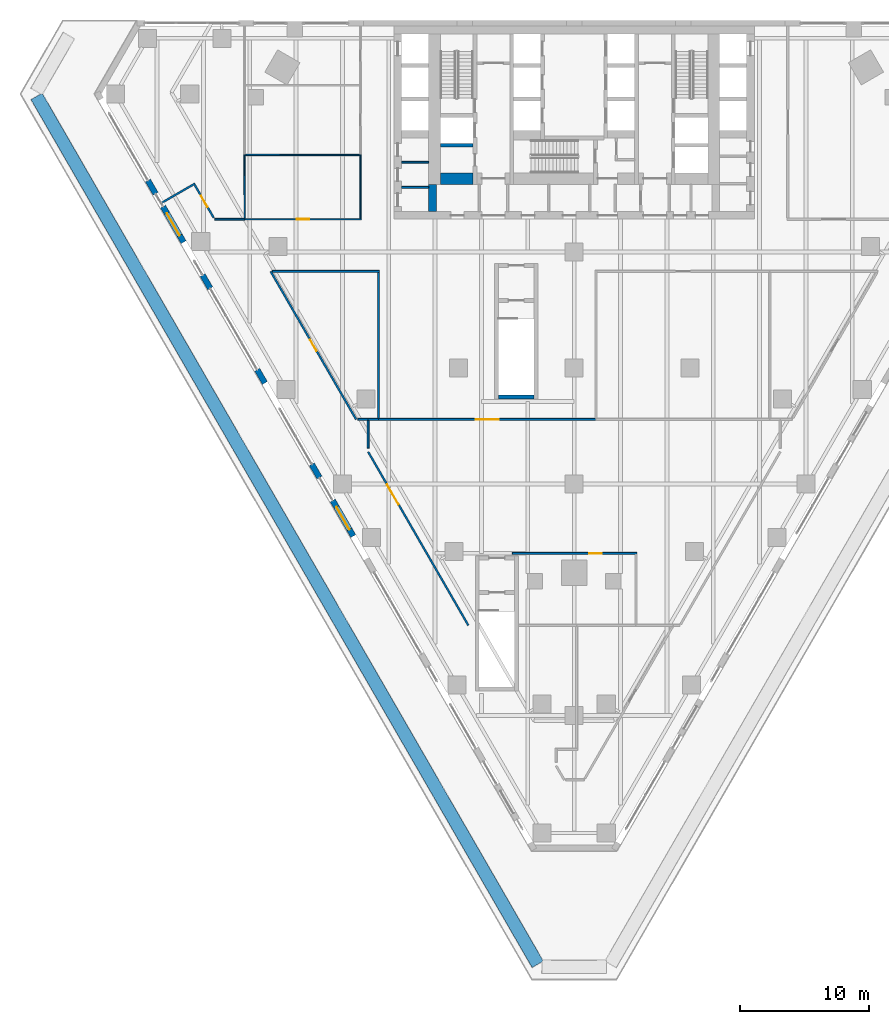
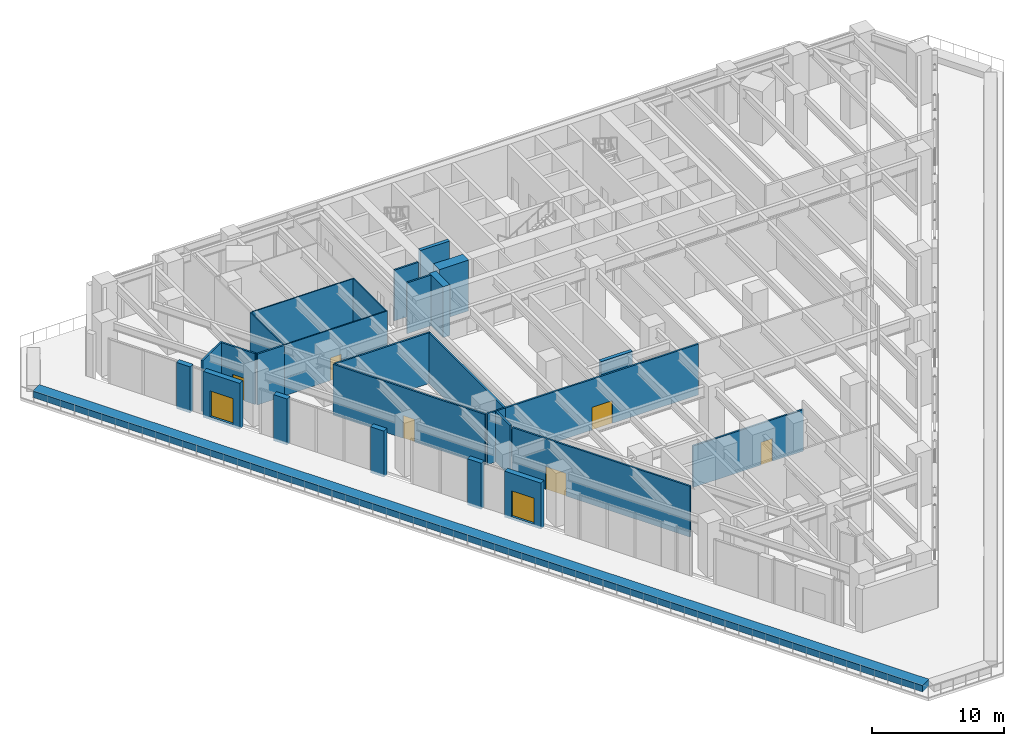
# One storey, part 22 of 31: 29 walls, 8 doors, 8 openings.
"""IFC4 building model written with IfcOpenShell, lengths in metres."""

from ifc_helpers import new_model, si_unit, direction, frame, frame_2d, origin, place, context, subcontext, project, spatial, rectangle, extrude, material, layer, layer_set, type_object, element, fill, save


model = new_model("IFC4")

# Units and contexts
model_context = context("Model", 3, precision=1e-05, world=origin(), true_north=direction((0.0, 1.0)))
body_context = subcontext(model_context, "Body", "Model", "MODEL_VIEW")
ifc_project = project(units=[si_unit("LENGTHUNIT", "METRE"), si_unit("AREAUNIT", "SQUARE_METRE"), si_unit("VOLUMEUNIT", "CUBIC_METRE"), si_unit("PLANEANGLEUNIT", "RADIAN"), si_unit("MASSUNIT", "GRAM", prefix="KILO")], contexts=[model_context])

# Site, building, storey
site_placement = place(None, origin())
site = spatial("IfcSite", under=ifc_project, at=site_placement, CompositionType="ELEMENT")
building_placement = place(site_placement, origin())
building = spatial("IfcBuilding", under=site, at=building_placement, Name="Aloe Facet Convention Tower", CompositionType="ELEMENT")
storey_placement = place(building_placement, frame((0.0, 0.0, 25.0)))
storey = spatial("IfcBuildingStorey", under=building, at=storey_placement, Name="L04", CompositionType="ELEMENT", Elevation=25.0)

# Walls
ifc_material_1 = material(Name="Concrete blockwork partition", Category="masonry")
ifc_layer_1 = layer(ifc_material_1, 0.14990234375)
ifc_layer_set_1 = layer_set([ifc_layer_1], Name="CR-W-PART150")
wall_type_1 = type_object("IfcWallType", Name="CR-W-PART150", PredefinedType="PARTITIONING", material=ifc_layer_set_1)
for number, where, z_axis, x_axis, name in (
    (1, (66.60009765625, 123.97509765625, 0.0), (0.0, 0.0, 1.0), (1.0, 0.0, 0.0), "Core partition L04-007"),
    (2, (66.60009765625, 122.02490234375, 0.0), (0.0, 0.0, 1.0), (1.0, 0.0, 0.0), "Core partition L04-008"),
):
    element("IfcWall", number, at=place(storey_placement, frame(where, z_axis=z_axis, x_axis=x_axis)), inside=storey, type_object=wall_type_1, Name=name, PredefinedType="PARTITIONING", context=body_context, shape_type="SweptSolid", body=[
        extrude(rectangle(XDim=2.099853515625, YDim=0.14990234375, at=frame_2d((1.0498046875, 0.0))), origin(), (0.0, 0.0, 1.0), 4.699951171875),
    ])
ifc_material_2 = material(Name="Concrete C50/60", Category="concrete")
ifc_layer_2 = layer(ifc_material_2, 0.300048828125)
ifc_layer_set_2 = layer_set([ifc_layer_2], Name="CR-W-RC300-C5060")
wall_type_2 = type_object("IfcWallType", Name="CR-W-RC300-C5060", PredefinedType="SOLIDWALL", material=ifc_layer_set_2)
wall_1_placement = place(storey_placement, frame((74.125, 105.75, 0.0), z_axis=(0.0, 0.0, 1.0), x_axis=(1.0, 0.0, 0.0)))
element("IfcWall", 3, at=wall_1_placement, inside=storey, type_object=wall_type_2, Name="Exit stair wall L04-08", PredefinedType="SOLIDWALL", context=body_context, shape_type="SweptSolid", body=[
    extrude(rectangle(XDim=2.75, YDim=0.300048828125, at=frame_2d((1.375, 0.0))), origin(), (0.0, 0.0, 1.0), 4.699951171875),
])
ifc_material_3 = material(Name="Concrete C80/95", Category="concrete")
ifc_layer_3 = layer(ifc_material_3, 0.300048828125)
ifc_layer_set_3 = layer_set([ifc_layer_3], Name="CR-W-RC300-C8095")
wall_type_3 = type_object("IfcWallType", Name="CR-W-RC300-C8095", PredefinedType="SOLIDWALL", material=ifc_layer_set_3)
wall_2_placement = place(storey_placement, frame((69.60009765625, 125.300048828125, 0.0), z_axis=(0.0, 0.0, 1.0), x_axis=(1.0, 0.0, 0.0)))
element("IfcWall", 4, at=wall_2_placement, inside=storey, type_object=wall_type_3, Name="Core wall L04-012", PredefinedType="SOLIDWALL", context=body_context, shape_type="SweptSolid", body=[
    extrude(rectangle(XDim=2.5498046875, YDim=0.300048828125, at=frame_2d((1.27490234375, 0.0))), origin(), (0.0, 0.0, 1.0), 4.699951171875),
])
ifc_material_4 = material(Name="Concrete C80/95", Category="concrete")
ifc_layer_4 = layer(ifc_material_4, 0.60009765625)
ifc_layer_set_4 = layer_set([ifc_layer_4], Name="CR-W-RC600-C8095")
wall_type_4 = type_object("IfcWallType", Name="CR-W-RC600-C8095", PredefinedType="SOLIDWALL", material=ifc_layer_set_4)
wall_3_placement = place(storey_placement, frame((69.0, 122.25, 0.0), z_axis=(0.0, 0.0, 1.0), x_axis=(0.0, -1.0, 0.0)))
element("IfcWall", 5, at=wall_3_placement, inside=storey, type_object=wall_type_4, Name="Core wall L04-010", PredefinedType="SOLIDWALL", context=body_context, shape_type="SweptSolid", body=[
    extrude(rectangle(XDim=2.10009765625, YDim=0.60009765625, at=frame_2d((1.050048828125, 0.0))), origin(), (0.0, 0.0, 1.0), 4.699951171875),
])
ifc_material_5 = material(Name="Concrete C80/95", Category="concrete")
ifc_layer_5 = layer(ifc_material_5, 0.89990234375)
ifc_layer_set_5 = layer_set([ifc_layer_5], Name="CR-W-RC900-C8095")
wall_type_5 = type_object("IfcWallType", Name="CR-W-RC900-C8095", PredefinedType="SOLIDWALL", material=ifc_layer_set_5)
wall_4_placement = place(storey_placement, frame((69.60009765625, 122.699951171875, 0.0), z_axis=(0.0, 0.0, 1.0), x_axis=(1.0, 0.0, 0.0)))
element("IfcWall", 6, at=wall_4_placement, inside=storey, type_object=wall_type_5, Name="Core wall L04-013", PredefinedType="SOLIDWALL", context=body_context, shape_type="SweptSolid", body=[
    extrude(rectangle(XDim=2.5498046875, YDim=0.89990234375, at=frame_2d((1.27490234375, 0.0))), origin(), (0.0, 0.0, 1.0), 4.699951171875),
])
ifc_material_6 = material(Name="Precast concrete C40/50", Category="concrete")
ifc_layer_6 = layer(ifc_material_6, 1.0)
ifc_layer_set_6 = layer_set([ifc_layer_6], Name="EV-PLANTER-BED")
wall_type_6 = type_object("IfcWallType", Name="EV-PLANTER-BED", PredefinedType="STANDARD", material=ifc_layer_set_6)
wall_5_placement = place(storey_placement, frame((77.166015625, 61.67919921875, 0.0), z_axis=(0.0, 0.0, 1.0), x_axis=(-0.500000102728, 0.866025344474, 0.0)))
element("IfcWall", 7, at=wall_5_placement, inside=storey, type_object=wall_type_6, Name="PLANTER PT-L04-1-4", PredefinedType="STANDARD", context=body_context, shape_type="SweptSolid", body=[
    extrude(rectangle(XDim=77.8408203125, YDim=1.0, at=frame_2d((38.92041015625, 0.0))), origin(), (0.0, 0.0, 1.0), 0.60009765625),
])
ifc_material_7 = material(Name="Precast concrete C40/50", Category="concrete")
ifc_layer_7 = layer(ifc_material_7, 0.449951171875)
ifc_layer_set_7 = layer_set([ifc_layer_7], Name="EV-WALL-STONE")
wall_type_7 = type_object("IfcWallType", Name="EV-WALL-STONE", PredefinedType="SOLIDWALL", material=ifc_layer_set_7)
wall_6_placement = place(storey_placement, frame((46.89111328125, 122.566650390625, -0.25), z_axis=(0.0, 0.0, 1.0), x_axis=(0.500033551112, -0.866006032174, 0.0)))
element("IfcWall", 8, at=wall_6_placement, inside=storey, type_object=wall_type_7, Name="PW-L04-W03", PredefinedType="SOLIDWALL", context=body_context, shape_type="SweptSolid", body=[
    extrude(rectangle(XDim=1.2001953125, YDim=0.449951171875, at=frame_2d((0.60009765625, 0.0))), origin(), (0.0, 0.0, 1.0), 4.262451171875),
])

# Wall, opening, door
wall_7_placement = place(storey_placement, frame((48.06298828125, 120.537109375, -0.25), z_axis=(0.0, 0.0, 1.0), x_axis=(0.499971222258, -0.866042017984, 0.0)))
wall_7 = element("IfcWall", 9, at=wall_7_placement, inside=storey, type_object=wall_type_7, Name="PW-L04-W04", PredefinedType="SOLIDWALL", context=body_context, shape_type="SweptSolid", body=[
    extrude(rectangle(XDim=3.199951171875, YDim=0.449951171875, at=frame_2d((1.60009765625, 0.0))), origin(), (0.0, 0.0, 1.0), 4.262451171875),
])
opening_1_placement = place(wall_7_placement, frame((0.60009765625, 0.0, 0.25)))
opening_1 = element("IfcOpeningElement", 10, at=opening_1_placement, cuts=wall_7, Name="Opening D-L04-W04", PredefinedType="OPENING", context=body_context, shape_type="SweptSolid", body=[
    extrude(rectangle(XDim=2.0, YDim=2.39990234375, at=frame_2d((1.0, 1.199951171875))), frame((0.0, 0.23486328125, 0.0), z_axis=(0.0, -1.0, 0.0), x_axis=(1.0, 0.0, 0.0)), (0.0, 0.0, 1.0), 0.469970703125),
])
ifc_material_8 = material(Name="Aluminium frame, clear double glazing", Category="aluminium")
door_type_1 = type_object("IfcDoorType", Name="EV-DOOR-HALL", OperationType="DOUBLE_DOOR_SINGLE_SWING", PredefinedType="DOOR", material=ifc_material_8)
door_1_placement = place(opening_1_placement, origin())
door_1 = element("IfcDoor", 11, at=door_1_placement, inside=storey, type_object=door_type_1, Name="D-L04-W04", OperationType="DOUBLE_DOOR_SINGLE_SWING", OverallHeight=2.39990234375, OverallWidth=2.0, PredefinedType="DOOR", context=body_context, shape_type="SweptSolid", body=[
    extrude(rectangle(XDim=2.0, YDim=2.39990234375, at=frame_2d((1.0, 1.199951171875))), frame((0.0, 0.02490234375, 0.0), z_axis=(0.0, -1.0, 0.0), x_axis=(1.0, 0.0, 0.0)), (0.0, 0.0, 1.0), 0.050048828125),
])
fill(opening_1, door_1)

# Walls
wall_8_placement = place(storey_placement, frame((51.134521484375, 115.216796875, -0.25), z_axis=(0.0, 0.0, 1.0), x_axis=(0.50012165622, -0.865955154139, 0.0)))
element("IfcWall", 12, at=wall_8_placement, inside=storey, type_object=wall_type_7, Name="PW-L04-W05", PredefinedType="SOLIDWALL", context=body_context, shape_type="SweptSolid", body=[
    extrude(rectangle(XDim=1.199951171875, YDim=0.449951171875, at=frame_2d((0.60009765625, 0.0))), origin(), (0.0, 0.0, 1.0), 4.262451171875),
])
for number, where, z_axis, x_axis, name in (
    (13, (55.3779296875, 107.8671875, -0.25), (0.0, 0.0, 1.0), (0.500033551112, -0.866006032174, 0.0), "PW-L04-W07"),
    (14, (59.621337890625, 100.517333984375, -0.25), (0.0, 0.0, 1.0), (0.500033551112, -0.866006032174, 0.0), "PW-L04-W09"),
):
    element("IfcWall", number, at=place(storey_placement, frame(where, z_axis=z_axis, x_axis=x_axis)), inside=storey, type_object=wall_type_7, Name=name, PredefinedType="SOLIDWALL", context=body_context, shape_type="SweptSolid", body=[
        extrude(rectangle(XDim=1.2001953125, YDim=0.449951171875, at=frame_2d((0.60009765625, 0.0))), origin(), (0.0, 0.0, 1.0), 4.262451171875),
    ])

# Wall, opening, door
wall_9_placement = place(storey_placement, frame((61.242919921875, 97.70849609375, -0.25), z_axis=(0.0, 0.0, 1.0), x_axis=(0.500028443584, -0.866008981251, 0.0)))
wall_9 = element("IfcWall", 15, at=wall_9_placement, inside=storey, type_object=wall_type_7, Name="PW-L04-W10", PredefinedType="SOLIDWALL", context=body_context, shape_type="SweptSolid", body=[
    extrude(rectangle(XDim=3.199951171875, YDim=0.449951171875, at=frame_2d((1.60009765625, 0.0))), origin(), (0.0, 0.0, 1.0), 4.262451171875),
])
opening_2_placement = place(wall_9_placement, frame((0.60009765625, 0.0, 0.25)))
opening_2 = element("IfcOpeningElement", 16, at=opening_2_placement, cuts=wall_9, Name="Opening D-L04-W10", PredefinedType="OPENING", context=body_context, shape_type="SweptSolid", body=[
    extrude(rectangle(XDim=2.0, YDim=2.39990234375, at=frame_2d((1.0, 1.199951171875))), frame((0.0, 0.23486328125, 0.0), z_axis=(0.0, -1.0, 0.0), x_axis=(1.0, 0.0, 0.0)), (0.0, 0.0, 1.0), 0.469970703125),
])
door_2_placement = place(opening_2_placement, origin())
door_2 = element("IfcDoor", 17, at=door_2_placement, inside=storey, type_object=door_type_1, Name="D-L04-W10", OperationType="DOUBLE_DOOR_SINGLE_SWING", OverallHeight=2.39990234375, OverallWidth=2.0, PredefinedType="DOOR", context=body_context, shape_type="SweptSolid", body=[
    extrude(rectangle(XDim=2.0, YDim=2.39990234375, at=frame_2d((1.0, 1.199951171875))), frame((0.0, 0.02490234375, 0.0), z_axis=(0.0, -1.0, 0.0), x_axis=(1.0, 0.0, 0.0)), (0.0, 0.0, 1.0), 0.050048828125),
])
fill(opening_2, door_2)

ifc_material_9 = material(Name="Gypsum board partition on steel studs, double layer", Category="steel")
ifc_layer_8 = layer(ifc_material_9, 0.14990234375)
ifc_layer_set_8 = layer_set([ifc_layer_8], Name="IN-POD-W-CORR")
wall_type_8 = type_object("IfcWallType", Name="IN-POD-W-CORR", PredefinedType="PARTITIONING", material=ifc_layer_set_8)
wall_10_placement = place(storey_placement, frame((64.0, 101.4833984375, 0.0), z_axis=(0.0, 0.0, 1.0), x_axis=(0.500001168225, -0.866024729308, 0.0)))
wall_10 = element("IfcWall", 18, at=wall_10_placement, inside=storey, type_object=wall_type_8, Name="Partition L04-W006", PredefinedType="PARTITIONING", context=body_context, shape_type="SweptSolid", body=[
    extrude(rectangle(XDim=15.5693359375, YDim=0.14990234375, at=frame_2d((7.78466796875, 0.0))), origin(), (0.0, 0.0, 1.0), 4.699951171875),
])
opening_3_placement = place(wall_10_placement, frame((2.933837890625, 0.0, 0.0)))
opening_3 = element("IfcOpeningElement", 19, at=opening_3_placement, cuts=wall_10, Name="Opening L04-011", PredefinedType="OPENING", context=body_context, shape_type="SweptSolid", body=[
    extrude(rectangle(XDim=1.800048828125, YDim=2.10009765625, at=frame_2d((0.89990234375, 1.050048828125))), frame((0.0, 0.0849609375, 0.0), z_axis=(0.0, -1.0, 0.0), x_axis=(1.0, 0.0, 0.0)), (0.0, 0.0, 1.0), 0.169921875),
])
ifc_material_10 = material(Name="Hardwood flush door pair", Category="wood")
door_type_2 = type_object("IfcDoorType", Name="IN-POD-D-PAIR", OperationType="DOUBLE_DOOR_SINGLE_SWING", PredefinedType="DOOR", material=ifc_material_10)
door_3_placement = place(opening_3_placement, origin())
door_3 = element("IfcDoor", 20, at=door_3_placement, inside=storey, type_object=door_type_2, Name="Door L04-011", OperationType="SINGLE_SWING_LEFT", OverallHeight=2.10009765625, OverallWidth=1.800048828125, PredefinedType="DOOR", context=body_context, shape_type="SweptSolid", body=[
    extrude(rectangle(XDim=1.800048828125, YDim=2.10009765625, at=frame_2d((0.89990234375, 1.050048828125))), frame((0.0, 0.02490234375, 0.0), z_axis=(0.0, -1.0, 0.0), x_axis=(1.0, 0.0, 0.0)), (0.0, 0.0, 1.0), 0.050048828125),
])
fill(opening_3, door_3)

wall_11_placement = place(storey_placement, frame((75.199951171875, 93.60009765625, 0.0), z_axis=(0.0, 0.0, 1.0), x_axis=(1.0, 0.0, 0.0)))
wall_11 = element("IfcWall", 21, at=wall_11_placement, inside=storey, type_object=wall_type_8, Name="Partition L04-W013", PredefinedType="PARTITIONING", context=body_context, shape_type="SweptSolid", body=[
    extrude(rectangle(XDim=9.675048828125, YDim=0.14990234375, at=frame_2d((4.83740234375, 0.0))), origin(), (0.0, 0.0, 1.0), 3.839111328125),
])
opening_4_placement = place(wall_11_placement, frame((5.952392578125, 0.0, 0.0)))
opening_4 = element("IfcOpeningElement", 22, at=opening_4_placement, cuts=wall_11, Name="Opening L04-012", PredefinedType="OPENING", context=body_context, shape_type="SweptSolid", body=[
    extrude(rectangle(XDim=1.0, YDim=2.10009765625, at=frame_2d((0.5, 1.050048828125))), frame((0.0, 0.0849609375, 0.0), z_axis=(0.0, -1.0, 0.0), x_axis=(1.0, 0.0, 0.0)), (0.0, 0.0, 1.0), 0.169921875),
])
ifc_material_11 = material(Name="Steel flush door, galvanised", Category="steel")
door_type_3 = type_object("IfcDoorType", Name="IN-POD-D-PLANT", OperationType="SINGLE_SWING_LEFT", PredefinedType="DOOR", material=ifc_material_11)
door_4_placement = place(opening_4_placement, origin())
door_4 = element("IfcDoor", 23, at=door_4_placement, inside=storey, type_object=door_type_3, Name="Door L04-012", OperationType="SINGLE_SWING_LEFT", OverallHeight=2.10009765625, OverallWidth=1.0, PredefinedType="DOOR", context=body_context, shape_type="SweptSolid", body=[
    extrude(rectangle(XDim=1.0, YDim=2.10009765625, at=frame_2d((0.5, 1.050048828125))), frame((0.0, 0.02490234375, 0.0), z_axis=(0.0, -1.0, 0.0), x_axis=(1.0, 0.0, 0.0)), (0.0, 0.0, 1.0), 0.050048828125),
])
fill(opening_4, door_4)

# Wall
wall_12_placement = place(storey_placement, frame((64.0, 101.76318359375, 0.0), z_axis=(0.0, 0.0, 1.0), x_axis=(0.0, 1.0, 0.0)))
element("IfcWall", 24, at=wall_12_placement, inside=storey, type_object=wall_type_8, Name="Partition L04-W015", PredefinedType="PARTITIONING", context=body_context, shape_type="SweptSolid", body=[
    extrude(rectangle(XDim=2.161865234375, YDim=0.14990234375, at=frame_2d((1.0810546875, 0.0))), origin(), (0.0, 0.0, 1.0), 4.699951171875),
])

# Wall, opening, door
wall_13_placement = place(storey_placement, frame((56.427001953125, 115.5, 0.0), z_axis=(0.0, 0.0, 1.0), x_axis=(0.50000679685, -0.866021479586, 0.0)))
wall_13 = element("IfcWall", 25, at=wall_13_placement, inside=storey, type_object=wall_type_8, Name="Partition L04-W017", PredefinedType="PARTITIONING", context=body_context, shape_type="SweptSolid", body=[
    extrude(rectangle(XDim=13.279052734375, YDim=0.14990234375, at=frame_2d((6.6396484375, 0.0))), origin(), (0.0, 0.0, 1.0), 4.699951171875),
])
opening_5_placement = place(wall_13_placement, frame((6.1396484375, 0.0, 0.0)))
opening_5 = element("IfcOpeningElement", 26, at=opening_5_placement, cuts=wall_13, Name="Opening L04-007", PredefinedType="OPENING", context=body_context, shape_type="SweptSolid", body=[
    extrude(rectangle(XDim=1.0, YDim=2.10009765625, at=frame_2d((0.5, 1.050048828125))), frame((0.0, 0.0849609375, 0.0), z_axis=(0.0, -1.0, 0.0), x_axis=(1.0, 0.0, 0.0)), (0.0, 0.0, 1.0), 0.169921875),
])
ifc_material_12 = material(Name="Hardwood flush door", Category="wood")
door_type_4 = type_object("IfcDoorType", Name="IN-POD-D-WIDE", OperationType="SINGLE_SWING_LEFT", PredefinedType="DOOR", material=ifc_material_12)
door_5_placement = place(opening_5_placement, origin())
door_5 = element("IfcDoor", 27, at=door_5_placement, inside=storey, type_object=door_type_4, Name="Door L04-007", OperationType="SINGLE_SWING_LEFT", OverallHeight=2.10009765625, OverallWidth=1.0, PredefinedType="DOOR", context=body_context, shape_type="SweptSolid", body=[
    extrude(rectangle(XDim=1.0, YDim=2.10009765625, at=frame_2d((0.5, 1.050048828125))), frame((0.0, 0.02490234375, 0.0), z_axis=(0.0, -1.0, 0.0), x_axis=(1.0, 0.0, 0.0)), (0.0, 0.0, 1.0), 0.050048828125),
])
fill(opening_5, door_5)

# Walls
wall_14_placement = place(storey_placement, frame((64.0, 104.0, 0.0), z_axis=(0.0, 0.0, 1.0), x_axis=(1.0, 0.0, 0.0)))
element("IfcWall", 28, at=wall_14_placement, inside=storey, type_object=wall_type_8, Name="Partition L04-W018", PredefinedType="PARTITIONING", context=body_context, shape_type="SweptSolid", body=[
    extrude(rectangle(XDim=0.800048828125, YDim=0.14990234375, at=frame_2d((0.39990234375, 0.0))), origin(), (0.0, 0.0, 1.0), 4.699951171875),
])
wall_15_placement = place(storey_placement, frame((63.196533203125, 104.0, 0.0), z_axis=(0.0, 0.0, 1.0), x_axis=(1.0, 0.0, 0.0)))
element("IfcWall", 29, at=wall_15_placement, inside=storey, type_object=wall_type_8, Name="Partition L04-W019", PredefinedType="PARTITIONING", context=body_context, shape_type="SweptSolid", body=[
    extrude(rectangle(XDim=0.803466796875, YDim=0.14990234375, at=frame_2d((0.40185546875, 0.0))), origin(), (0.0, 0.0, 1.0), 4.699951171875),
])

# Wall, opening, door
wall_16_placement = place(storey_placement, frame((64.800048828125, 104.0, 0.0), z_axis=(0.0, 0.0, 1.0), x_axis=(1.0, 0.0, 0.0)))
wall_16 = element("IfcWall", 30, at=wall_16_placement, inside=storey, type_object=wall_type_8, Name="Partition L04-W020", PredefinedType="PARTITIONING", context=body_context, shape_type="SweptSolid", body=[
    extrude(rectangle(XDim=16.89501953125, YDim=0.14990234375, at=frame_2d((8.447509765625, 0.0))), origin(), (0.0, 0.0, 1.0), 4.699951171875),
])
opening_6_placement = place(wall_16_placement, frame((7.547607421875, 0.0, 0.0)))
opening_6 = element("IfcOpeningElement", 31, at=opening_6_placement, cuts=wall_16, Name="Opening L04-010", PredefinedType="OPENING", context=body_context, shape_type="SweptSolid", body=[
    extrude(rectangle(XDim=1.800048828125, YDim=2.10009765625, at=frame_2d((0.89990234375, 1.050048828125))), frame((0.0, 0.0849609375, 0.0), z_axis=(0.0, -1.0, 0.0), x_axis=(1.0, 0.0, 0.0)), (0.0, 0.0, 1.0), 0.169921875),
])
door_6_placement = place(opening_6_placement, origin())
door_6 = element("IfcDoor", 32, at=door_6_placement, inside=storey, type_object=door_type_2, Name="Door L04-010", OperationType="SINGLE_SWING_LEFT", OverallHeight=2.10009765625, OverallWidth=1.800048828125, PredefinedType="DOOR", context=body_context, shape_type="SweptSolid", body=[
    extrude(rectangle(XDim=1.800048828125, YDim=2.10009765625, at=frame_2d((0.89990234375, 1.050048828125))), frame((0.0, 0.02490234375, 0.0), z_axis=(0.0, -1.0, 0.0), x_axis=(1.0, 0.0, 0.0)), (0.0, 0.0, 1.0), 0.050048828125),
])
fill(opening_6, door_6)

# Walls
wall_17_placement = place(storey_placement, frame((56.556884765625, 115.5, 0.0), z_axis=(0.0, 0.0, 1.0), x_axis=(1.0, 0.0, 0.0)))
element("IfcWall", 33, at=wall_17_placement, inside=storey, type_object=wall_type_8, Name="Partition L04-W027", PredefinedType="PARTITIONING", context=body_context, shape_type="SweptSolid", body=[
    extrude(rectangle(XDim=8.318115234375, YDim=0.14990234375, at=frame_2d((4.1591796875, 0.0))), origin(), (0.0, 0.0, 1.0), 4.699951171875),
])
wall_18_placement = place(storey_placement, frame((64.800048828125, 104.074951171875, 0.0), z_axis=(0.0, 0.0, 1.0), x_axis=(0.0, 1.0, 0.0)))
element("IfcWall", 34, at=wall_18_placement, inside=storey, type_object=wall_type_8, Name="Partition L04-W028", PredefinedType="PARTITIONING", context=body_context, shape_type="SweptSolid", body=[
    extrude(rectangle(XDim=11.35009765625, YDim=0.14990234375, at=frame_2d((5.675048828125, 0.0))), origin(), (0.0, 0.0, 1.0), 4.699951171875),
])
wall_19_placement = place(storey_placement, frame((52.068359375, 119.550048828125, 0.0), z_axis=(0.0, 0.0, 1.0), x_axis=(1.0, 0.0, 0.0)))
element("IfcWall", 35, at=wall_19_placement, inside=storey, type_object=wall_type_8, Name="Partition L04-W032", PredefinedType="PARTITIONING", context=body_context, shape_type="SweptSolid", body=[
    extrude(rectangle(XDim=2.341552734375, YDim=0.14990234375, at=frame_2d((1.1708984375, 0.0))), origin(), (0.0, 0.0, 1.0), 4.699951171875),
])
wall_20_placement = place(storey_placement, frame((47.99951171875, 120.846923828125, 0.0), z_axis=(0.0, 0.0, 1.0), x_axis=(0.866003658127, 0.500037662692, 0.0)))
element("IfcWall", 36, at=wall_20_placement, inside=storey, type_object=wall_type_8, Name="Partition L04-W036", PredefinedType="PARTITIONING", context=body_context, shape_type="SweptSolid", body=[
    extrude(rectangle(XDim=2.949951171875, YDim=0.14990234375, at=frame_2d((1.47509765625, 0.0))), origin(), (0.0, 0.0, 1.0), 4.699951171875),
])

# Wall, opening, door
wall_21_placement = place(storey_placement, frame((50.53173828125, 122.2109375, 0.0), z_axis=(0.0, 0.0, 1.0), x_axis=(0.50010066533, -0.865967276828, 0.0)))
wall_21 = element("IfcWall", 37, at=wall_21_placement, inside=storey, type_object=wall_type_8, Name="Partition L04-W037", PredefinedType="PARTITIONING", context=body_context, shape_type="SweptSolid", body=[
    extrude(rectangle(XDim=2.94287109375, YDim=0.14990234375, at=frame_2d((1.471435546875, 0.0))), origin(), (0.0, 0.0, 1.0), 4.699951171875),
])
opening_7_placement = place(wall_21_placement, frame((0.971435546875, 0.0, 0.0)))
opening_7 = element("IfcOpeningElement", 38, at=opening_7_placement, cuts=wall_21, Name="Opening L04-004", PredefinedType="OPENING", context=body_context, shape_type="SweptSolid", body=[
    extrude(rectangle(XDim=1.0, YDim=2.10009765625, at=frame_2d((0.5, 1.050048828125))), frame((0.0, 0.0849609375, 0.0), z_axis=(0.0, -1.0, 0.0), x_axis=(1.0, 0.0, 0.0)), (0.0, 0.0, 1.0), 0.169921875),
])
door_7_placement = place(opening_7_placement, origin())
door_7 = element("IfcDoor", 39, at=door_7_placement, inside=storey, type_object=door_type_4, Name="Door L04-004", OperationType="SINGLE_SWING_LEFT", OverallHeight=2.10009765625, OverallWidth=1.0, PredefinedType="DOOR", context=body_context, shape_type="SweptSolid", body=[
    extrude(rectangle(XDim=1.0, YDim=2.10009765625, at=frame_2d((0.5, 1.050048828125))), frame((0.0, 0.02490234375, 0.0), z_axis=(0.0, -1.0, 0.0), x_axis=(1.0, 0.0, 0.0)), (0.0, 0.0, 1.0), 0.050048828125),
])
fill(opening_7, door_7)

ifc_material_13 = material(Name="Gypsum board partition on steel studs, moisture resistant", Category="steel")
ifc_layer_9 = layer(ifc_material_13, 0.10009765625)
ifc_layer_set_9 = layer_set([ifc_layer_9], Name="IN-POD-W-WET")
wall_type_9 = type_object("IfcWallType", Name="IN-POD-W-WET", PredefinedType="PARTITIONING", material=ifc_layer_set_9)
wall_22_placement = place(storey_placement, frame((54.409912109375, 119.550048828125, 0.0), z_axis=(0.0, 0.0, 1.0), x_axis=(1.0, 0.0, 0.0)))
wall_22 = element("IfcWall", 40, at=wall_22_placement, inside=storey, type_object=wall_type_9, Name="Partition L04-W033", PredefinedType="PARTITIONING", context=body_context, shape_type="SweptSolid", body=[
    extrude(rectangle(XDim=9.064453125, YDim=0.10009765625, at=frame_2d((4.5322265625, 0.0))), origin(), (0.0, 0.0, 1.0), 4.699951171875),
])
opening_8_placement = place(wall_22_placement, frame((4.05712890625, 0.0, 0.0)))
opening_8 = element("IfcOpeningElement", 41, at=opening_8_placement, cuts=wall_22, Name="Opening L04-001", PredefinedType="OPENING", context=body_context, shape_type="SweptSolid", body=[
    extrude(rectangle(XDim=0.949951171875, YDim=2.10009765625, at=frame_2d((0.47509765625, 1.050048828125))), frame((0.0, 0.06005859375, 0.0), z_axis=(0.0, -1.0, 0.0), x_axis=(1.0, 0.0, 0.0)), (0.0, 0.0, 1.0), 0.1201171875),
])
ifc_material_14 = material(Name="Hardwood flush door, 950 mm clear leaf", Category="wood")
door_type_5 = type_object("IfcDoorType", Name="IN-POD-D-ACC", OperationType="SINGLE_SWING_LEFT", PredefinedType="DOOR", material=ifc_material_14)
door_8_placement = place(opening_8_placement, origin())
door_8 = element("IfcDoor", 42, at=door_8_placement, inside=storey, type_object=door_type_5, Name="Door L04-001", OperationType="SINGLE_SWING_LEFT", OverallHeight=2.10009765625, OverallWidth=0.949951171875, PredefinedType="DOOR", context=body_context, shape_type="SweptSolid", body=[
    extrude(rectangle(XDim=0.949951171875, YDim=2.10009765625, at=frame_2d((0.47509765625, 1.050048828125))), frame((0.0, 0.02490234375, 0.0), z_axis=(0.0, -1.0, 0.0), x_axis=(1.0, 0.0, 0.0)), (0.0, 0.0, 1.0), 0.050048828125),
])
fill(opening_8, door_8)

# Walls
wall_23_placement = place(storey_placement, frame((63.3994140625, 119.625, 0.0), z_axis=(0.0, 0.0, 1.0), x_axis=(9.9344327e-05, 0.999999995065, 0.0)))
element("IfcWall", 43, at=wall_23_placement, inside=storey, type_object=wall_type_9, Name="Partition L04-W035", PredefinedType="PARTITIONING", context=body_context, shape_type="SweptSolid", body=[
    extrude(rectangle(XDim=4.9150390625, YDim=0.10009765625, at=frame_2d((2.45751953125, 0.0))), origin(), (0.0, 0.0, 1.0), 4.699951171875),
])
wall_24_placement = place(storey_placement, frame((54.409912109375, 119.625, 0.0), z_axis=(0.0, 0.0, 1.0), x_axis=(-0.002032415373, 0.999997934642, 0.0)))
element("IfcWall", 44, at=wall_24_placement, inside=storey, type_object=wall_type_9, Name="Partition L04-W039", PredefinedType="PARTITIONING", context=body_context, shape_type="SweptSolid", body=[
    extrude(rectangle(XDim=4.925048828125, YDim=0.10009765625, at=frame_2d((2.46240234375, 0.0))), origin(), (0.0, 0.0, 1.0), 4.699951171875),
])
wall_25_placement = place(storey_placement, frame((54.5, 124.5498046875, 0.0), z_axis=(0.0, 0.0, 1.0), x_axis=(0.999999387727, -0.001106591847, 0.0)))
element("IfcWall", 45, at=wall_25_placement, inside=storey, type_object=wall_type_9, Name="Partition L04-W040", PredefinedType="PARTITIONING", context=body_context, shape_type="SweptSolid", body=[
    extrude(rectangle(XDim=8.824951171875, YDim=0.10009765625, at=frame_2d((4.41259765625, 0.0))), origin(), (0.0, 0.0, 1.0), 4.699951171875),
])

save(model, "model.ifc")
